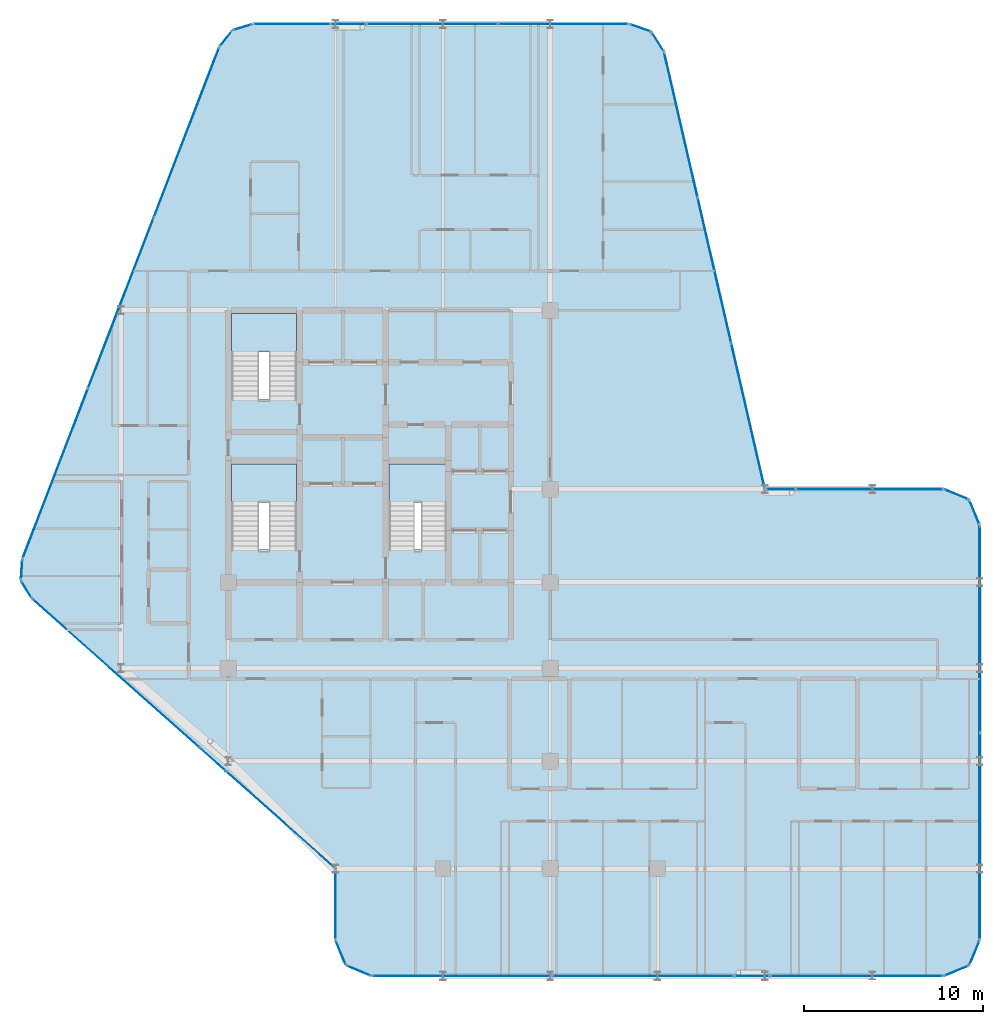
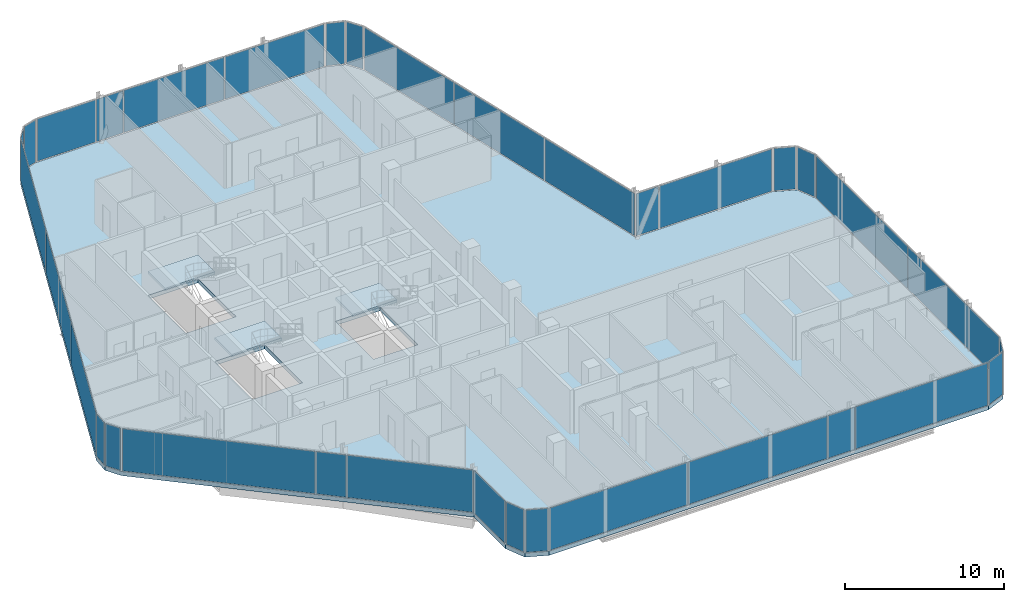
# One storey, part 22 of 29: 34 plates, 4 slabs, 30 elements without a shape of their own.
"""IFC4 building model written with IfcOpenShell, lengths in metres."""

from ifc_helpers import new_model, si_unit, direction, frame, origin, origin_2d, place, context, subcontext, project, spatial, polyline, rectangle, outline, extrude, material, layer, layer_set, type_object, element, aggregate, save


model = new_model("IFC4")

# Units and contexts
model_context = context("Model", 3, precision=1e-05, world=origin(), true_north=direction((0.0, 1.0)))
body_context = subcontext(model_context, "Body", "Model", "MODEL_VIEW")
ifc_project = project(units=[si_unit("LENGTHUNIT", "METRE"), si_unit("AREAUNIT", "SQUARE_METRE"), si_unit("VOLUMEUNIT", "CUBIC_METRE"), si_unit("PLANEANGLEUNIT", "RADIAN"), si_unit("MASSUNIT", "GRAM", prefix="KILO")], contexts=[model_context])

# Site, building, storey
site_placement = place(None, origin())
site = spatial("IfcSite", under=ifc_project, at=site_placement, CompositionType="ELEMENT")
building_placement = place(site_placement, origin())
building = spatial("IfcBuilding", under=site, at=building_placement, Name="Keshet Zoharim Tower", CompositionType="ELEMENT")
storey_placement = place(building_placement, frame((0.0, 0.0, 169.10009765625)))
storey = spatial("IfcBuildingStorey", under=building, at=storey_placement, Name="L41", CompositionType="ELEMENT", Elevation=169.10009765625)

# Curtain wall, plate
ifc_material_1 = material(Name="Aluminium 6063-T6", Category="aluminium")
ifc_layer_1 = layer(ifc_material_1, 0.139892578125)
ifc_layer_set_1 = layer_set([ifc_layer_1], Name="Aluminium 6063-T6")
curtain_wall_type = type_object("IfcCurtainWallType", Name="CW-SYS-05", PredefinedType="NOTDEFINED", material=ifc_layer_set_1)
curtain_wall_1_placement = place(storey_placement, origin())
curtain_wall_1 = element("IfcCurtainWall", 1, at=curtain_wall_1_placement, inside=storey, type_object=curtain_wall_type, Name="L41 Unitised Curtain Wall 01", PredefinedType="NOTDEFINED")
ifc_material_2 = material(Name="Insulated Low-E Clear Glass", Category="glass")
ifc_layer_2 = layer(ifc_material_2, 0.031982421875)
ifc_layer_set_2 = layer_set([ifc_layer_2], Name="Insulated Low-E Clear Glass")
plate_type_1 = type_object("IfcPlateType", Name="CWP-02", PredefinedType="CURTAIN_PANEL", material=ifc_layer_set_2)
plate_1_placement = place(storey_placement, frame((55.70703125, 27.60693359375, 0.06982421875), z_axis=(0.0, 0.0, 1.0), x_axis=(0.92380975372, -0.382851849847, 0.0)))
plate_1 = element("IfcPlate", 2, at=plate_1_placement, type_object=plate_type_1, Name="CW-05 panel 1.1", PredefinedType="CURTAIN_PANEL", context=body_context, shape_type="SweptSolid", body=[
    extrude(rectangle(XDim=1.390625, YDim=0.031982421875, at=origin_2d()), origin(), (0.0, 0.0, 1.0), 3.25),
])
aggregate(curtain_wall_1, [plate_1])

curtain_wall_2_placement = place(storey_placement, origin())
curtain_wall_2 = element("IfcCurtainWall", 3, at=curtain_wall_2_placement, inside=storey, type_object=curtain_wall_type, Name="L41 Unitised Curtain Wall 02", PredefinedType="NOTDEFINED")
plate_2_placement = place(storey_placement, frame((56.70703125, 26.60693359375, 0.06982421875), z_axis=(0.0, 0.0, 1.0), x_axis=(0.382851849847, -0.92380975372, 0.0)))
plate_2 = element("IfcPlate", 4, at=plate_2_placement, type_object=plate_type_1, Name="CW-05 panel 1.1", PredefinedType="CURTAIN_PANEL", context=body_context, shape_type="SweptSolid", body=[
    extrude(rectangle(XDim=1.390625, YDim=0.031982421875, at=origin_2d()), origin(), (0.0, 0.0, 1.0), 3.25),
])
aggregate(curtain_wall_2, [plate_2])

# Curtain wall, plates
curtain_wall_3_placement = place(storey_placement, origin())
curtain_wall_3 = element("IfcCurtainWall", 5, at=curtain_wall_3_placement, inside=storey, type_object=curtain_wall_type, Name="L41 Unitised Curtain Wall 03", PredefinedType="NOTDEFINED")
plate_3_placement = place(storey_placement, frame((57.0, 20.08251953125, 0.06982421875), z_axis=(0.0, 0.0, 1.0), x_axis=(0.0, -1.0, 0.0)))
plate_3 = element("IfcPlate", 6, at=plate_3_placement, type_object=plate_type_1, Name="CW-05 panel 1.1", PredefinedType="CURTAIN_PANEL", context=body_context, shape_type="SweptSolid", body=[
    extrude(rectangle(XDim=11.4951171875, YDim=0.031982421875, at=origin_2d()), origin(), (0.0, 0.0, 1.0), 3.25),
])
plate_4_placement = place(storey_placement, frame((57.0, 8.517578125, 0.06982421875), z_axis=(0.0, 0.0, 1.0), x_axis=(0.0, -1.0, 0.0)))
plate_4 = element("IfcPlate", 7, at=plate_4_placement, type_object=plate_type_1, Name="CW-05 panel 2.1", PredefinedType="CURTAIN_PANEL", context=body_context, shape_type="SweptSolid", body=[
    extrude(rectangle(XDim=11.4951171875, YDim=0.031982421875, at=origin_2d()), origin(), (0.0, 0.0, 1.0), 3.25),
])
aggregate(curtain_wall_3, [plate_3, plate_4])

# Curtain wall, plate
curtain_wall_4_placement = place(storey_placement, origin())
curtain_wall_4 = element("IfcCurtainWall", 8, at=curtain_wall_4_placement, inside=storey, type_object=curtain_wall_type, Name="L41 Unitised Curtain Wall 04", PredefinedType="NOTDEFINED")
plate_5_placement = place(storey_placement, frame((56.70703125, 1.992919921875, 0.06982421875), z_axis=(0.0, 0.0, 1.0), x_axis=(-0.382851849847, -0.92380975372, 0.0)))
plate_5 = element("IfcPlate", 9, at=plate_5_placement, type_object=plate_type_1, Name="CW-05 panel 1.1", PredefinedType="CURTAIN_PANEL", context=body_context, shape_type="SweptSolid", body=[
    extrude(rectangle(XDim=1.390625, YDim=0.031982421875, at=origin_2d()), origin(), (0.0, 0.0, 1.0), 3.25),
])
aggregate(curtain_wall_4, [plate_5])

curtain_wall_5_placement = place(storey_placement, origin())
curtain_wall_5 = element("IfcCurtainWall", 10, at=curtain_wall_5_placement, inside=storey, type_object=curtain_wall_type, Name="L41 Unitised Curtain Wall 05", PredefinedType="NOTDEFINED")
plate_6_placement = place(storey_placement, frame((55.70703125, 0.992919921875, 0.06982421875), z_axis=(0.0, 0.0, 1.0), x_axis=(-0.92380975372, -0.382851849847, 0.0)))
plate_6 = element("IfcPlate", 11, at=plate_6_placement, type_object=plate_type_1, Name="CW-05 panel 1.1", PredefinedType="CURTAIN_PANEL", context=body_context, shape_type="SweptSolid", body=[
    extrude(rectangle(XDim=1.390625, YDim=0.031982421875, at=origin_2d()), origin(), (0.0, 0.0, 1.0), 3.25),
])
aggregate(curtain_wall_5, [plate_6])

curtain_wall_6_placement = place(storey_placement, origin())
curtain_wall_6 = element("IfcCurtainWall", 12, at=curtain_wall_6_placement, inside=storey, type_object=curtain_wall_type, Name="L41 Unitised Curtain Wall 06", PredefinedType="NOTDEFINED")
plate_7_placement = place(storey_placement, frame((50.1240234375, 0.699951171875, 0.06982421875), z_axis=(0.0, 0.0, 1.0), x_axis=(-1.0, 0.0, 0.0)))
plate_7 = element("IfcPlate", 13, at=plate_7_placement, type_object=plate_type_1, Name="CW-05 panel 1.1", PredefinedType="CURTAIN_PANEL", context=body_context, shape_type="SweptSolid", body=[
    extrude(rectangle(XDim=9.61181640625, YDim=0.031982421875, at=origin_2d()), origin(), (0.0, 0.0, 1.0), 3.25),
])
aggregate(curtain_wall_6, [plate_7])

# Curtain wall, plates
curtain_wall_7_placement = place(storey_placement, origin())
curtain_wall_7 = element("IfcCurtainWall", 14, at=curtain_wall_7_placement, inside=storey, type_object=curtain_wall_type, Name="L41 Unitised Curtain Wall 06 Part 3", PredefinedType="NOTDEFINED")
plate_8_placement = place(storey_placement, frame((38.20654296875, 0.699951171875, 0.06982421875), z_axis=(0.0, 0.0, 1.0), x_axis=(-1.0, 0.0, 0.0)))
plate_8 = element("IfcPlate", 15, at=plate_8_placement, type_object=plate_type_1, Name="CW-05 panel 1.1", PredefinedType="CURTAIN_PANEL", context=body_context, shape_type="SweptSolid", body=[
    extrude(rectangle(XDim=10.091064453125, YDim=0.031982421875, at=origin_2d()), origin(), (0.0, 0.0, 1.0), 3.25),
])
plate_9_placement = place(storey_placement, frame((28.08056640625, 0.699951171875, 0.06982421875), z_axis=(0.0, 0.0, 1.0), x_axis=(-1.0, 0.0, 0.0)))
plate_9 = element("IfcPlate", 16, at=plate_9_placement, type_object=plate_type_1, Name="CW-05 panel 2.1", PredefinedType="CURTAIN_PANEL", context=body_context, shape_type="SweptSolid", body=[
    extrude(rectangle(XDim=10.02099609375, YDim=0.031982421875, at=origin_2d()), origin(), (0.0, 0.0, 1.0), 3.25),
])
aggregate(curtain_wall_7, [plate_8, plate_9])

# Curtain wall, plate
curtain_wall_8_placement = place(storey_placement, origin())
curtain_wall_8 = element("IfcCurtainWall", 17, at=curtain_wall_8_placement, inside=storey, type_object=curtain_wall_type, Name="L41 Unitised Curtain Wall 07", PredefinedType="NOTDEFINED")
plate_10_placement = place(storey_placement, frame((22.29296875, 0.992919921875, 0.06982421875), z_axis=(0.0, 0.0, 1.0), x_axis=(-0.92380975372, 0.382851849847, 0.0)))
plate_10 = element("IfcPlate", 18, at=plate_10_placement, type_object=plate_type_1, Name="CW-05 panel 1.1", PredefinedType="CURTAIN_PANEL", context=body_context, shape_type="SweptSolid", body=[
    extrude(rectangle(XDim=1.390625, YDim=0.031982421875, at=origin_2d()), origin(), (0.0, 0.0, 1.0), 3.25),
])
aggregate(curtain_wall_8, [plate_10])

curtain_wall_9_placement = place(storey_placement, origin())
curtain_wall_9 = element("IfcCurtainWall", 19, at=curtain_wall_9_placement, inside=storey, type_object=curtain_wall_type, Name="L41 Unitised Curtain Wall 08", PredefinedType="NOTDEFINED")
plate_11_placement = place(storey_placement, frame((21.29296875, 1.992919921875, 0.06982421875), z_axis=(0.0, 0.0, 1.0), x_axis=(-0.382851849847, 0.92380975372, 0.0)))
plate_11 = element("IfcPlate", 20, at=plate_11_placement, type_object=plate_type_1, Name="CW-05 panel 1.1", PredefinedType="CURTAIN_PANEL", context=body_context, shape_type="SweptSolid", body=[
    extrude(rectangle(XDim=1.390625, YDim=0.031982421875, at=origin_2d()), origin(), (0.0, 0.0, 1.0), 3.25),
])
aggregate(curtain_wall_9, [plate_11])

curtain_wall_10_placement = place(storey_placement, origin())
curtain_wall_10 = element("IfcCurtainWall", 21, at=curtain_wall_10_placement, inside=storey, type_object=curtain_wall_type, Name="L41 Unitised Curtain Wall 09", PredefinedType="NOTDEFINED")
plate_12_placement = place(storey_placement, frame((21.0, 4.699951171875, 0.06982421875), z_axis=(0.0, 0.0, 1.0), x_axis=(0.0, 1.0, 0.0)))
plate_12 = element("IfcPlate", 22, at=plate_12_placement, type_object=plate_type_1, Name="CW-05 panel 1.1", PredefinedType="CURTAIN_PANEL", context=body_context, shape_type="SweptSolid", body=[
    extrude(rectangle(XDim=3.860107421875, YDim=0.031982421875, at=origin_2d()), origin(), (0.0, 0.0, 1.0), 3.25),
])
aggregate(curtain_wall_10, [plate_12])

curtain_wall_11_placement = place(storey_placement, origin())
curtain_wall_11 = element("IfcCurtainWall", 23, at=curtain_wall_11_placement, inside=storey, type_object=curtain_wall_type, Name="L41 Unitised Curtain Wall 10", PredefinedType="NOTDEFINED")
plate_13_placement = place(storey_placement, frame((17.92724609375, 9.431396484375, 0.06982421875), z_axis=(0.0, 0.0, 1.0), x_axis=(-0.74740596379, 0.664367613066, 0.0)))
plate_13 = element("IfcPlate", 24, at=plate_13_placement, type_object=plate_type_1, Name="CW-05 panel 1.1", PredefinedType="CURTAIN_PANEL", context=body_context, shape_type="SweptSolid", body=[
    extrude(rectangle(XDim=8.082763671875, YDim=0.031982421875, at=origin_2d()), origin(), (0.0, 0.0, 1.0), 3.25),
])
aggregate(curtain_wall_11, [plate_13])

curtain_wall_12_placement = place(storey_placement, origin())
curtain_wall_12 = element("IfcCurtainWall", 25, at=curtain_wall_12_placement, inside=storey, type_object=curtain_wall_type, Name="L41 Unitised Curtain Wall 10 Part 3", PredefinedType="NOTDEFINED")
plate_14_placement = place(storey_placement, frame((8.724853515625, 17.611328125, 0.06982421875), z_axis=(0.0, 0.0, 1.0), x_axis=(-0.747406666066, 0.664366823013, 0.0)))
plate_14 = element("IfcPlate", 26, at=plate_14_placement, type_object=plate_type_1, Name="CW-05 panel 1.1", PredefinedType="CURTAIN_PANEL", context=body_context, shape_type="SweptSolid", body=[
    extrude(rectangle(XDim=12.40966796875, YDim=0.031982421875, at=origin_2d()), origin(), (0.0, 0.0, 1.0), 3.25),
])
aggregate(curtain_wall_12, [plate_14])

curtain_wall_13_placement = place(storey_placement, origin())
curtain_wall_13 = element("IfcCurtainWall", 27, at=curtain_wall_13_placement, inside=storey, type_object=curtain_wall_type, Name="L41 Unitised Curtain Wall 11", PredefinedType="NOTDEFINED")
plate_15_placement = place(storey_placement, frame((3.7275390625, 22.291015625, 0.06982421875), z_axis=(0.0, 0.0, 1.0), x_axis=(-0.515604947933, 0.856826433805, 0.0)))
plate_15 = element("IfcPlate", 28, at=plate_15_placement, type_object=plate_type_1, Name="CW-05 panel 1.1", PredefinedType="CURTAIN_PANEL", context=body_context, shape_type="SweptSolid", body=[
    extrude(rectangle(XDim=1.052734375, YDim=0.031982421875, at=origin_2d()), origin(), (0.0, 0.0, 1.0), 3.25),
])
aggregate(curtain_wall_13, [plate_15])

curtain_wall_14_placement = place(storey_placement, origin())
curtain_wall_14 = element("IfcCurtainWall", 29, at=curtain_wall_14_placement, inside=storey, type_object=curtain_wall_type, Name="L41 Unitised Curtain Wall 12", PredefinedType="NOTDEFINED")
plate_16_placement = place(storey_placement, frame((3.45849609375, 23.3974609375, 0.06982421875), z_axis=(0.0, 0.0, 1.0), x_axis=(0.064516859374, 0.997916617186, 0.0)))
plate_16 = element("IfcPlate", 30, at=plate_16_placement, type_object=plate_type_1, Name="CW-05 panel 1.1", PredefinedType="CURTAIN_PANEL", context=body_context, shape_type="SweptSolid", body=[
    extrude(rectangle(XDim=1.053466796875, YDim=0.031982421875, at=origin_2d()), origin(), (0.0, 0.0, 1.0), 3.25),
])
aggregate(curtain_wall_14, [plate_16])

# Curtain wall, plates
curtain_wall_15_placement = place(storey_placement, origin())
curtain_wall_15 = element("IfcCurtainWall", 31, at=curtain_wall_15_placement, inside=storey, type_object=curtain_wall_type, Name="L41 Unitised Curtain Wall 13", PredefinedType="NOTDEFINED")
plate_17_placement = place(storey_placement, frame((5.33837890625, 28.7802734375, 0.06982421875), z_axis=(0.0, 0.0, 1.0), x_axis=(0.358990003907, 0.933341404361, 0.0)))
plate_17 = element("IfcPlate", 32, at=plate_17_placement, type_object=plate_type_1, Name="CW-05 panel 1.1", PredefinedType="CURTAIN_PANEL", context=body_context, shape_type="SweptSolid", body=[
    extrude(rectangle(XDim=10.1181640625, YDim=0.031982421875, at=origin_2d()), origin(), (0.0, 0.0, 1.0), 3.25),
])
plate_18_placement = place(storey_placement, frame((9.001953125, 38.305419921875, 0.06982421875), z_axis=(0.0, 0.0, 1.0), x_axis=(0.358990003907, 0.933341404361, 0.0)))
plate_18 = element("IfcPlate", 33, at=plate_18_placement, type_object=plate_type_1, Name="CW-05 panel 2.1", PredefinedType="CURTAIN_PANEL", context=body_context, shape_type="SweptSolid", body=[
    extrude(rectangle(XDim=10.153076171875, YDim=0.031982421875, at=origin_2d()), origin(), (0.0, 0.0, 1.0), 3.25),
])
plate_19_placement = place(storey_placement, frame((12.665771484375, 47.830810546875, 0.06982421875), z_axis=(0.0, 0.0, 1.0), x_axis=(0.358990003907, 0.933341404361, 0.0)))
plate_19 = element("IfcPlate", 34, at=plate_19_placement, type_object=plate_type_1, Name="CW-05 panel 3.1", PredefinedType="CURTAIN_PANEL", context=body_context, shape_type="SweptSolid", body=[
    extrude(rectangle(XDim=10.1181640625, YDim=0.031982421875, at=origin_2d()), origin(), (0.0, 0.0, 1.0), 3.25),
])
aggregate(curtain_wall_15, [plate_17, plate_18, plate_19])

# Curtain wall, plate
curtain_wall_16_placement = place(storey_placement, origin())
curtain_wall_16 = element("IfcCurtainWall", 35, at=curtain_wall_16_placement, inside=storey, type_object=curtain_wall_type, Name="L41 Unitised Curtain Wall 14", PredefinedType="NOTDEFINED")
plate_20_placement = place(storey_placement, frame((14.8740234375, 53.08349609375, 0.06982421875), z_axis=(0.0, 0.0, 1.0), x_axis=(0.619124525989, 0.785292825205, 0.0)))
plate_20 = element("IfcPlate", 36, at=plate_20_placement, type_object=plate_type_1, Name="CW-05 panel 1.1", PredefinedType="CURTAIN_PANEL", context=body_context, shape_type="SweptSolid", body=[
    extrude(rectangle(XDim=1.045654296875, YDim=0.031982421875, at=origin_2d()), origin(), (0.0, 0.0, 1.0), 3.25),
])
aggregate(curtain_wall_16, [plate_20])

curtain_wall_17_placement = place(storey_placement, origin())
curtain_wall_17 = element("IfcCurtainWall", 37, at=curtain_wall_17_placement, inside=storey, type_object=curtain_wall_type, Name="L41 Unitised Curtain Wall 15", PredefinedType="NOTDEFINED")
plate_21_placement = place(storey_placement, frame((15.8076171875, 53.724609375, 0.06982421875), z_axis=(0.0, 0.0, 1.0), x_axis=(0.955212151288, 0.295921857984, 0.0)))
plate_21 = element("IfcPlate", 38, at=plate_21_placement, type_object=plate_type_1, Name="CW-05 panel 1.1", PredefinedType="CURTAIN_PANEL", context=body_context, shape_type="SweptSolid", body=[
    extrude(rectangle(XDim=1.046142578125, YDim=0.031982421875, at=origin_2d()), origin(), (0.0, 0.0, 1.0), 3.25),
])
aggregate(curtain_wall_17, [plate_21])

curtain_wall_18_placement = place(storey_placement, origin())
curtain_wall_18 = element("IfcCurtainWall", 39, at=curtain_wall_18_placement, inside=storey, type_object=curtain_wall_type, Name="L41 Unitised Curtain Wall 16", PredefinedType="NOTDEFINED")
plate_22_placement = place(storey_placement, frame((18.56298828125, 53.89990234375, 0.06982421875), z_axis=(0.0, 0.0, 1.0), x_axis=(1.0, 0.0, 0.0)))
plate_22 = element("IfcPlate", 40, at=plate_22_placement, type_object=plate_type_1, Name="CW-05 panel 1.1", PredefinedType="CURTAIN_PANEL", context=body_context, shape_type="SweptSolid", body=[
    extrude(rectangle(XDim=4.23779296875, YDim=0.031982421875, at=origin_2d()), origin(), (0.0, 0.0, 1.0), 3.25),
])
aggregate(curtain_wall_18, [plate_22])

# Curtain wall, plates
curtain_wall_19_placement = place(storey_placement, origin())
curtain_wall_19 = element("IfcCurtainWall", 41, at=curtain_wall_19_placement, inside=storey, type_object=curtain_wall_type, Name="L41 Unitised Curtain Wall 16 Part 3", PredefinedType="NOTDEFINED")
plate_23_placement = place(storey_placement, frame((26.395751953125, 53.89990234375, 0.06982421875), z_axis=(0.0, 0.0, 1.0), x_axis=(1.0, 0.0, 0.0)))
plate_23 = element("IfcPlate", 42, at=plate_23_placement, type_object=plate_type_1, Name="CW-05 panel 1.1", PredefinedType="CURTAIN_PANEL", context=body_context, shape_type="SweptSolid", body=[
    extrude(rectangle(XDim=7.29541015625, YDim=0.031982421875, at=origin_2d()), origin(), (0.0, 0.0, 1.0), 3.25),
])
plate_24_placement = place(storey_placement, frame((33.726318359375, 53.89990234375, 0.06982421875), z_axis=(0.0, 0.0, 1.0), x_axis=(1.0, 0.0, 0.0)))
plate_24 = element("IfcPlate", 43, at=plate_24_placement, type_object=plate_type_1, Name="CW-05 panel 2.1", PredefinedType="CURTAIN_PANEL", context=body_context, shape_type="SweptSolid", body=[
    extrude(rectangle(XDim=7.225341796875, YDim=0.031982421875, at=origin_2d()), origin(), (0.0, 0.0, 1.0), 3.25),
])
aggregate(curtain_wall_19, [plate_23, plate_24])

# Curtain wall, plate
curtain_wall_20_placement = place(storey_placement, origin())
curtain_wall_20 = element("IfcCurtainWall", 44, at=curtain_wall_20_placement, inside=storey, type_object=curtain_wall_type, Name="L41 Unitised Curtain Wall 17", PredefinedType="NOTDEFINED")
plate_25_placement = place(storey_placement, frame((38.031494140625, 53.6826171875, 0.06982421875), z_axis=(0.0, 0.0, 1.0), x_axis=(0.944035542119, -0.329843743636, 0.0)))
plate_25 = element("IfcPlate", 45, at=plate_25_placement, type_object=plate_type_1, Name="CW-05 panel 1.1", PredefinedType="CURTAIN_PANEL", context=body_context, shape_type="SweptSolid", body=[
    extrude(rectangle(XDim=1.1787109375, YDim=0.031982421875, at=origin_2d()), origin(), (0.0, 0.0, 1.0), 3.25),
])
aggregate(curtain_wall_20, [plate_25])

curtain_wall_21_placement = place(storey_placement, origin())
curtain_wall_21 = element("IfcCurtainWall", 46, at=curtain_wall_21_placement, inside=storey, type_object=curtain_wall_type, Name="L41 Unitised Curtain Wall 18", PredefinedType="NOTDEFINED")
plate_26_placement = place(storey_placement, frame((39.006103515625, 52.907470703125, 0.06982421875), z_axis=(0.0, 0.0, 1.0), x_axis=(0.533878858502, -0.845560976183, 0.0)))
plate_26 = element("IfcPlate", 47, at=plate_26_placement, type_object=plate_type_1, Name="CW-05 panel 1.1", PredefinedType="CURTAIN_PANEL", context=body_context, shape_type="SweptSolid", body=[
    extrude(rectangle(XDim=1.1787109375, YDim=0.031982421875, at=origin_2d()), origin(), (0.0, 0.0, 1.0), 3.25),
])
aggregate(curtain_wall_21, [plate_26])

# Curtain wall, plates
curtain_wall_22_placement = place(storey_placement, origin())
curtain_wall_22 = element("IfcCurtainWall", 48, at=curtain_wall_22_placement, inside=storey, type_object=curtain_wall_type, Name="L41 Unitised Curtain Wall 19", PredefinedType="NOTDEFINED")
plate_27_placement = place(storey_placement, frame((40.30224609375, 48.258056640625, 0.06982421875), z_axis=(0.0, 0.0, 1.0), x_axis=(0.224847864369, -0.974393882313, 0.0)))
plate_27 = element("IfcPlate", 49, at=plate_27_placement, type_object=plate_type_1, Name="CW-05 panel 1.1", PredefinedType="CURTAIN_PANEL", context=body_context, shape_type="SweptSolid", body=[
    extrude(rectangle(XDim=8.25927734375, YDim=0.031982421875, at=origin_2d()), origin(), (0.0, 0.0, 1.0), 3.25),
])
plate_28_placement = place(storey_placement, frame((42.178955078125, 40.125, 0.06982421875), z_axis=(0.0, 0.0, 1.0), x_axis=(0.224847864369, -0.974393882313, 0.0)))
plate_28 = element("IfcPlate", 50, at=plate_28_placement, type_object=plate_type_1, Name="CW-05 panel 2.1", PredefinedType="CURTAIN_PANEL", context=body_context, shape_type="SweptSolid", body=[
    extrude(rectangle(XDim=8.294189453125, YDim=0.031982421875, at=origin_2d()), origin(), (0.0, 0.0, 1.0), 3.25),
])
plate_29_placement = place(storey_placement, frame((44.0556640625, 31.991943359375, 0.06982421875), z_axis=(0.0, 0.0, 1.0), x_axis=(0.224847864369, -0.974393882313, 0.0)))
plate_29 = element("IfcPlate", 51, at=plate_29_placement, type_object=plate_type_1, Name="CW-05 panel 3.1", PredefinedType="CURTAIN_PANEL", context=body_context, shape_type="SweptSolid", body=[
    extrude(rectangle(XDim=8.25927734375, YDim=0.031982421875, at=origin_2d()), origin(), (0.0, 0.0, 1.0), 3.25),
])
aggregate(curtain_wall_22, [plate_27, plate_28, plate_29])

# Curtain wall, plate
curtain_wall_23_placement = place(storey_placement, origin())
curtain_wall_23 = element("IfcCurtainWall", 52, at=curtain_wall_23_placement, inside=storey, type_object=curtain_wall_type, Name="L41 Unitised Curtain Wall 20 Part 2", PredefinedType="NOTDEFINED")
plate_30_placement = place(storey_placement, frame((50.839111328125, 27.89990234375, 0.06982421875), z_axis=(0.0, 0.0, 1.0), x_axis=(1.0, 0.0, 0.0)))
plate_30 = element("IfcPlate", 53, at=plate_30_placement, type_object=plate_type_1, Name="CW-05 panel 1.1", PredefinedType="CURTAIN_PANEL", context=body_context, shape_type="SweptSolid", body=[
    extrude(rectangle(XDim=8.181884765625, YDim=0.031982421875, at=origin_2d()), origin(), (0.0, 0.0, 1.0), 3.25),
])
aggregate(curtain_wall_23, [plate_30])

curtain_wall_24_placement = place(storey_placement, origin())
curtain_wall_24 = element("IfcCurtainWall", 54, at=curtain_wall_24_placement, inside=storey, type_object=curtain_wall_type, Name="L41 Unitised Curtain Wall 06 Part 2", PredefinedType="NOTDEFINED")
ifc_material_3 = material(Name="Insulated Aluminium Spandrel Panel", Category="aluminium")
ifc_layer_3 = layer(ifc_material_3, 0.031982421875)
ifc_layer_set_3 = layer_set([ifc_layer_3], Name="Insulated Aluminium Spandrel Panel")
plate_type_2 = type_object("IfcPlateType", Name="CWP-05", PredefinedType="CURTAIN_PANEL", material=ifc_layer_set_3)
plate_31_placement = place(storey_placement, frame((44.284912109375, 0.699951171875, 0.06982421875), z_axis=(0.0, 0.0, 1.0), x_axis=(-1.0, 0.0, 0.0)))
plate_31 = element("IfcPlate", 55, at=plate_31_placement, type_object=plate_type_2, Name="CW-05 spandrel panel 1.1", PredefinedType="CURTAIN_PANEL", context=body_context, shape_type="SweptSolid", body=[
    extrude(rectangle(XDim=1.92626953125, YDim=0.031982421875, at=origin_2d()), origin(), (0.0, 0.0, 1.0), 3.25),
])
aggregate(curtain_wall_24, [plate_31])

curtain_wall_25_placement = place(storey_placement, origin())
curtain_wall_25 = element("IfcCurtainWall", 56, at=curtain_wall_25_placement, inside=storey, type_object=curtain_wall_type, Name="L41 Unitised Curtain Wall 10 Part 2", PredefinedType="NOTDEFINED")
plate_32_placement = place(storey_placement, frame((14.134521484375, 12.802734375, 0.06982421875), z_axis=(0.0, 0.0, 1.0), x_axis=(-0.747439721297, 0.664329634314, 0.0)))
plate_32 = element("IfcPlate", 57, at=plate_32_placement, type_object=plate_type_2, Name="CW-05 spandrel panel 1.1", PredefinedType="CURTAIN_PANEL", context=body_context, shape_type="SweptSolid", body=[
    extrude(rectangle(XDim=1.92626953125, YDim=0.031982421875, at=origin_2d()), origin(), (0.0, 0.0, 1.0), 3.25),
])
aggregate(curtain_wall_25, [plate_32])

curtain_wall_26_placement = place(storey_placement, origin())
curtain_wall_26 = element("IfcCurtainWall", 58, at=curtain_wall_26_placement, inside=storey, type_object=curtain_wall_type, Name="L41 Unitised Curtain Wall 16 Part 2", PredefinedType="NOTDEFINED")
plate_33_placement = place(storey_placement, frame((21.715087890625, 53.89990234375, 0.06982421875), z_axis=(0.0, 0.0, 1.0), x_axis=(1.0, 0.0, 0.0)))
plate_33 = element("IfcPlate", 59, at=plate_33_placement, type_object=plate_type_2, Name="CW-05 spandrel panel 1.1", PredefinedType="CURTAIN_PANEL", context=body_context, shape_type="SweptSolid", body=[
    extrude(rectangle(XDim=1.92626953125, YDim=0.031982421875, at=origin_2d()), origin(), (0.0, 0.0, 1.0), 3.25),
])
aggregate(curtain_wall_26, [plate_33])

curtain_wall_27_placement = place(storey_placement, origin())
curtain_wall_27 = element("IfcCurtainWall", 60, at=curtain_wall_27_placement, inside=storey, type_object=curtain_wall_type, Name="L41 Unitised Curtain Wall 20", PredefinedType="NOTDEFINED")
plate_34_placement = place(storey_placement, frame((45.8740234375, 27.89990234375, 0.06982421875), z_axis=(0.0, 0.0, 1.0), x_axis=(1.0, 0.0, 0.0)))
plate_34 = element("IfcPlate", 61, at=plate_34_placement, type_object=plate_type_2, Name="CW-05 spandrel panel 1.1", PredefinedType="CURTAIN_PANEL", context=body_context, shape_type="SweptSolid", body=[
    extrude(rectangle(XDim=1.608154296875, YDim=0.031982421875, at=origin_2d()), origin(), (0.0, 0.0, 1.0), 3.25),
])
aggregate(curtain_wall_27, [plate_34])

# Stair, slab
ifc_material_4 = material(Name="Concrete C50/60", Category="concrete")
stair_type = type_object("IfcStairType", Name="STR-EXIT-135", PredefinedType="HALF_TURN_STAIR", material=ifc_material_4)
stair_1_placement = place(storey_placement, origin())
stair_1 = element("IfcStair", 62, at=stair_1_placement, inside=storey, type_object=stair_type, Name="L41 Enclosed Exit Stair ST-01", PredefinedType="HALF_TURN_STAIR")
ifc_layer_4 = layer(ifc_material_4, 0.199951171875)
ifc_layer_set_4 = layer_set([ifc_layer_4], Name="Concrete C50/60")
slab_type_1 = type_object("IfcSlabType", Name="SLB-LND-200", PredefinedType="LANDING", material=ifc_layer_set_4)
slab_1_placement = place(storey_placement, frame((0.0, 0.0, 1.64990234375)))
slab_1 = element("IfcSlab", 63, at=slab_1_placement, type_object=slab_type_1, Name="ST-01 landing 1", PredefinedType="LANDING", context=body_context, shape_type="SweptSolid", body=[
    extrude(outline(polyline([(15.179931640625, 27.159912109375), (18.820068359375, 27.159912109375), (18.820068359375, 29.320068359375), (15.179931640625, 29.320068359375), (15.179931640625, 27.159912109375)])), origin(), (0.0, 0.0, 1.0), 0.199951171875),
])
aggregate(stair_1, [slab_1])

stair_2_placement = place(storey_placement, origin())
stair_2 = element("IfcStair", 64, at=stair_2_placement, inside=storey, type_object=stair_type, Name="L41 Enclosed Exit Stair ST-02", PredefinedType="HALF_TURN_STAIR")
slab_2_placement = place(storey_placement, frame((0.0, 0.0, 1.64990234375)))
slab_2 = element("IfcSlab", 65, at=slab_2_placement, type_object=slab_type_1, Name="ST-02 landing 1", PredefinedType="LANDING", context=body_context, shape_type="SweptSolid", body=[
    extrude(outline(polyline([(15.179931640625, 35.56005859375), (18.820068359375, 35.56005859375), (18.820068359375, 37.719970703125), (15.179931640625, 37.719970703125), (15.179931640625, 35.56005859375)])), origin(), (0.0, 0.0, 1.0), 0.199951171875),
])
aggregate(stair_2, [slab_2])

stair_3_placement = place(storey_placement, origin())
stair_3 = element("IfcStair", 66, at=stair_3_placement, inside=storey, type_object=stair_type, Name="L41 Enclosed Exit Stair ST-03", PredefinedType="HALF_TURN_STAIR")
slab_3_placement = place(storey_placement, frame((0.0, 0.0, 1.64990234375)))
slab_3 = element("IfcSlab", 67, at=slab_3_placement, type_object=slab_type_1, Name="ST-03 landing 1", PredefinedType="LANDING", context=body_context, shape_type="SweptSolid", body=[
    extrude(outline(polyline([(23.97998046875, 27.159912109375), (27.219970703125, 27.159912109375), (27.219970703125, 29.320068359375), (23.97998046875, 29.320068359375), (23.97998046875, 27.159912109375)])), origin(), (0.0, 0.0, 1.0), 0.199951171875),
])
aggregate(stair_3, [slab_3])

# Slab
ifc_layer_5 = layer(ifc_material_4, 0.31005859375)
ifc_layer_set_5 = layer_set([ifc_layer_5], Name="Concrete C50/60")
slab_type_2 = type_object("IfcSlabType", Name="SLB-UPP-240", PredefinedType="FLOOR", material=ifc_layer_set_5)
slab_4_placement = place(storey_placement, frame((0.0, 0.0, -0.31005859375)))
element("IfcSlab", 68, at=slab_4_placement, inside=storey, type_object=slab_type_2, Name="L41 Structural Floor Slab 1", PredefinedType="FLOOR", context=body_context, shape_type="SweptSolid", body=[
    extrude(outline(polyline([(55.0, 27.89990234375), (56.4140625, 27.31396484375), (57.0, 25.89990234375), (57.0, 2.699951171875), (56.4140625, 1.285888671875), (55.0, 0.699951171875), (23.0, 0.699951171875), (21.5859375, 1.285888671875), (21.0, 2.699951171875), (21.0, 6.699951171875), (4.034912109375, 21.780029296875), (3.419921875, 22.802001953125), (3.4970703125, 23.992919921875), (14.507080078125, 52.617919921875), (15.240966796875, 53.549072265625), (16.3740234375, 53.89990234375), (37.408935546875, 53.89990234375), (38.654052734375, 53.465087890625), (39.35791015625, 52.35009765625), (45.0, 27.89990234375), (55.0, 27.89990234375)]), holes=[polyline([(15.179931640625, 24.52001953125), (18.820068359375, 24.52001953125), (18.820068359375, 29.320068359375), (15.179931640625, 29.320068359375), (15.179931640625, 24.52001953125)]), polyline([(15.179931640625, 32.919921875), (18.820068359375, 32.919921875), (18.820068359375, 37.719970703125), (15.179931640625, 37.719970703125), (15.179931640625, 32.919921875)]), polyline([(23.97998046875, 24.52001953125), (27.219970703125, 24.52001953125), (27.219970703125, 29.320068359375), (23.97998046875, 29.320068359375), (23.97998046875, 24.52001953125)])]), origin(), (0.0, 0.0, 1.0), 0.31005859375),
])

save(model, "model.ifc")
